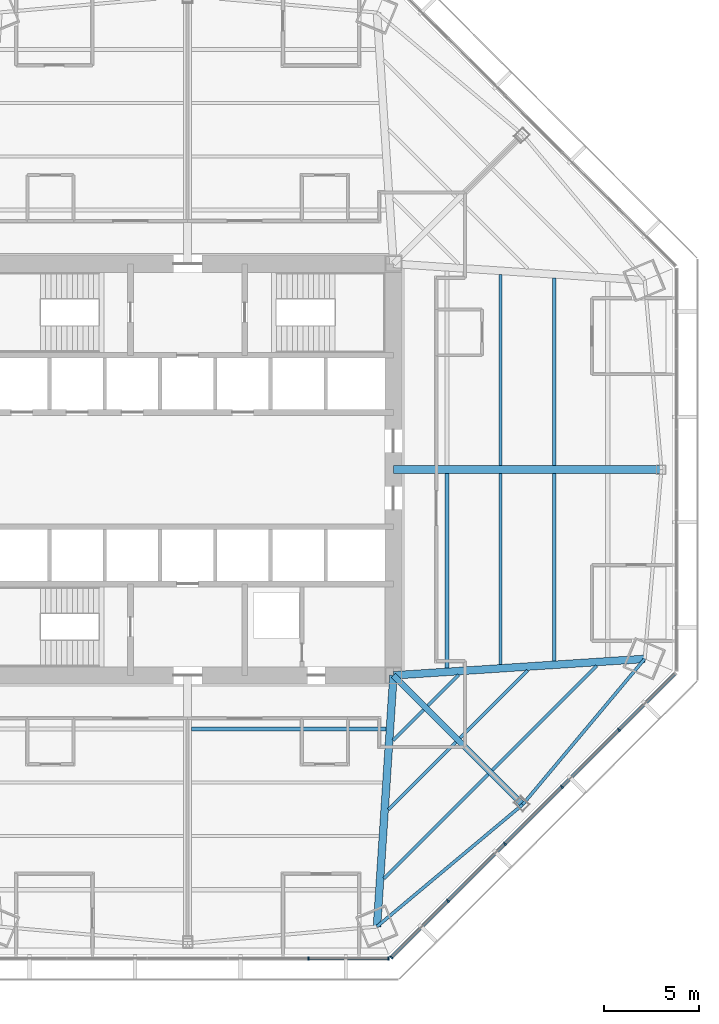
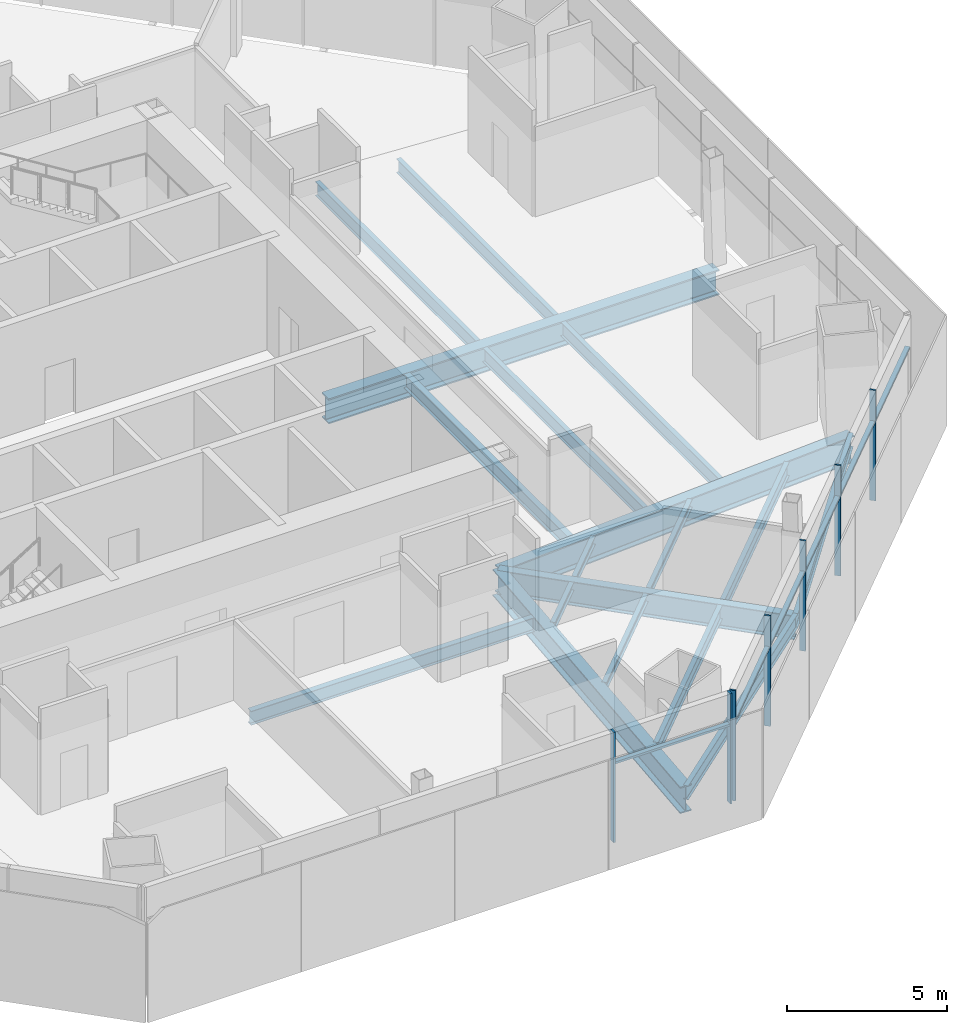
# One storey, part 4 of 18: 18 beams, 13 members, 2 elements without a shape of their own.
"""IFC4 building model written with IfcOpenShell, lengths in metres."""

from ifc_helpers import new_model, si_unit, direction, frame, origin, origin_2d, place, context, subcontext, project, spatial, rectangle, i_section, extrude, source, transform, mapped, material, material_profile, profile_set, type_object, type_shapes, element, aggregate, save


model = new_model("IFC4")

# Units and contexts
model_context = context("Model", 3, precision=1e-05, world=origin(), true_north=direction((0.0, 1.0)))
body_context = subcontext(model_context, "Body", "Model", "MODEL_VIEW")
ifc_project = project(units=[si_unit("LENGTHUNIT", "METRE"), si_unit("AREAUNIT", "SQUARE_METRE"), si_unit("VOLUMEUNIT", "CUBIC_METRE"), si_unit("PLANEANGLEUNIT", "RADIAN"), si_unit("MASSUNIT", "GRAM", prefix="KILO")], contexts=[model_context])

# Site, building, storey
site_placement = place(None, origin())
site = spatial("IfcSite", under=ifc_project, at=site_placement, CompositionType="ELEMENT")
building_placement = place(site_placement, origin())
building = spatial("IfcBuilding", under=site, at=building_placement, Name="Mashrafa Tower", CompositionType="ELEMENT")
storey_placement = place(building_placement, frame((0.0, 0.0, 83.39990234375)))
storey = spatial("IfcBuildingStorey", under=building, at=storey_placement, Name="L18", CompositionType="ELEMENT", Elevation=83.39990234375)

# Beams
ifc_material_1 = material(Name="Steel ASTM A992", Category="steel")
ifc_material_profile_1 = material_profile(ifc_material_1, i_section(OverallWidth=0.164794921875, OverallDepth=0.309814453125, WebThickness=0.005859375, FlangeThickness=0.009765625, FilletRadius=0.007568359375, at=origin_2d()), Name="W12X26")
ifc_profile_set_1 = profile_set([ifc_material_profile_1], Name="Steel ASTM A992")
beam_type_1 = type_object("IfcBeamType", Name="Beam W12X26", PredefinedType="BEAM", material=ifc_profile_set_1)
beam_1_placement = place(storey_placement, frame((12.386962890625, -12.6025390625, -0.31982421875), z_axis=(-0.707106781187, -0.707106781187, 0.0), x_axis=(0.707106781187, -0.707106781187, 0.0)))
element("IfcBeam", 1, at=beam_1_placement, inside=storey, type_object=beam_type_1, Name="Floor beam L18 040", PredefinedType="BEAM", context=body_context, shape_type="SweptSolid", body=[
    extrude(i_section(OverallWidth=0.164794921875, OverallDepth=0.309814453125, WebThickness=0.005859375, FlangeThickness=0.009765625, FilletRadius=0.007568359375, at=origin_2d()), origin(), (0.0, 0.0, 1.0), 2.277099609375),
])
beam_2_placement = place(storey_placement, frame((14.08154296875, -14.297119140625, -0.31982421875), z_axis=(-0.707082420455, -0.707131141079, 0.0), x_axis=(0.707131141079, -0.707082420455, 0.0)))
element("IfcBeam", 2, at=beam_2_placement, inside=storey, type_object=beam_type_1, Name="Floor beam L18 044", PredefinedType="BEAM", context=body_context, shape_type="SweptSolid", body=[
    extrude(i_section(OverallWidth=0.164794921875, OverallDepth=0.309814453125, WebThickness=0.005859375, FlangeThickness=0.009765625, FilletRadius=0.007568359375, at=origin_2d()), origin(), (0.0, 0.0, 1.0), 5.010986328125),
])
beam_3_placement = place(storey_placement, frame((14.212646484375, -10.77685546875, -0.31982421875), z_axis=(-0.707106781187, -0.707106781187, 0.0), x_axis=(0.707106781187, -0.707106781187, 0.0)))
element("IfcBeam", 3, at=beam_3_placement, inside=storey, type_object=beam_type_1, Name="Floor beam L18 046", PredefinedType="BEAM", context=body_context, shape_type="SweptSolid", body=[
    extrude(i_section(OverallWidth=0.164794921875, OverallDepth=0.309814453125, WebThickness=0.005859375, FlangeThickness=0.009765625, FilletRadius=0.007568359375, at=origin_2d()), origin(), (0.0, 0.0, 1.0), 2.277099609375),
])
beam_4_placement = place(storey_placement, frame((17.840576171875, -10.538330078125, -0.31982421875), z_axis=(-0.707131141079, -0.707082420455, 0.0), x_axis=(0.707082420455, -0.707131141079, 0.0)))
element("IfcBeam", 4, at=beam_4_placement, inside=storey, type_object=beam_type_1, Name="Floor beam L18 051", PredefinedType="BEAM", context=body_context, shape_type="SweptSolid", body=[
    extrude(i_section(OverallWidth=0.164794921875, OverallDepth=0.309814453125, WebThickness=0.005859375, FlangeThickness=0.009765625, FilletRadius=0.007568359375, at=origin_2d()), origin(), (0.0, 0.0, 1.0), 5.010986328125),
])
ifc_material_2 = material(Name="Steel ASTM A992", Category="steel")
ifc_material_profile_2 = material_profile(ifc_material_2, i_section(OverallWidth=0.165771484375, OverallDepth=0.5283203125, WebThickness=0.009765625, FlangeThickness=0.013671875, FilletRadius=0.012939453125, at=origin_2d()), Name="W21X50")
ifc_profile_set_2 = profile_set([ifc_material_profile_2], Name="Steel ASTM A992")
beam_type_2 = type_object("IfcBeamType", Name="Beam W21X50", PredefinedType="BEAM", material=ifc_profile_set_2)
beam_5_placement = place(storey_placement, frame((15.7763671875, -15.991943359375, -0.428955078125), z_axis=(-0.70712254248, -0.707091019542, 0.0), x_axis=(0.707091019542, -0.70712254248, 0.0)))
element("IfcBeam", 5, at=beam_5_placement, inside=storey, type_object=beam_type_2, Name="Floor beam L18 047", PredefinedType="BEAM", context=body_context, shape_type="SweptSolid", body=[
    extrude(i_section(OverallWidth=0.165771484375, OverallDepth=0.5283203125, WebThickness=0.009765625, FlangeThickness=0.013671875, FilletRadius=0.012939453125, at=origin_2d()), origin(), (0.0, 0.0, 1.0), 7.744873046875),
])
for number, where, z_axis, x_axis, name in (
    (6, (16.424072265625, -0.212158203125, -0.428955078125), (0.0, -1.0, 0.0), (1.0, 0.0, 0.0), "Floor beam L18 049"),
    (7, (16.424072265625, 10.229248046875, -0.428955078125), (0.0, -1.0, 0.0), (1.0, 0.0, 0.0), "Floor beam L18 050"),
):
    element("IfcBeam", number, at=place(storey_placement, frame(where, z_axis=z_axis, x_axis=x_axis)), inside=storey, type_object=beam_type_2, Name=name, PredefinedType="BEAM", context=body_context, shape_type="SweptSolid", body=[
        extrude(i_section(OverallWidth=0.165771484375, OverallDepth=0.5283203125, WebThickness=0.009765625, FlangeThickness=0.013671875, FilletRadius=0.012939453125, at=origin_2d()), origin(), (0.0, 0.0, 1.0), 10.01708984375),
    ])
for number, where, z_axis, x_axis, name in (
    (8, (19.236083984375, -0.212158203125, -0.428955078125), (0.0, -1.0, 0.0), (1.0, 0.0, 0.0), "Floor beam L18 052"),
    (9, (19.236083984375, 10.04443359375, -0.428955078125), (0.0, -1.0, 0.0), (1.0, 0.0, 0.0), "Floor beam L18 053"),
):
    element("IfcBeam", number, at=place(storey_placement, frame(where, z_axis=z_axis, x_axis=x_axis)), inside=storey, type_object=beam_type_2, Name=name, PredefinedType="BEAM", context=body_context, shape_type="SweptSolid", body=[
        extrude(i_section(OverallWidth=0.165771484375, OverallDepth=0.5283203125, WebThickness=0.009765625, FlangeThickness=0.013671875, FilletRadius=0.012939453125, at=origin_2d()), origin(), (0.0, 0.0, 1.0), 9.832275390625),
    ])
beam_6_placement = place(storey_placement, frame((21.46826171875, -10.2998046875, -0.428955078125), z_axis=(-0.707091019542, -0.70712254248, 0.0), x_axis=(0.70712254248, -0.707091019542, 0.0)))
element("IfcBeam", 10, at=beam_6_placement, inside=storey, type_object=beam_type_2, Name="Floor beam L18 054", PredefinedType="BEAM", context=body_context, shape_type="SweptSolid", body=[
    extrude(i_section(OverallWidth=0.165771484375, OverallDepth=0.5283203125, WebThickness=0.009765625, FlangeThickness=0.013671875, FilletRadius=0.012939453125, at=origin_2d()), origin(), (0.0, 0.0, 1.0), 7.744873046875),
])
for number, where, z_axis, x_axis, name in (
    (11, (9.93359375, -23.98193359375, -0.428955078125), (0.766639681556, 0.642077564367, 0.0), (-0.642077564367, 0.766639681556, 0.0), "Spandrel beam L18 082"),
    (12, (17.578857421875, -17.578857421875, -0.428955078125), (0.642077564367, 0.766639681556, 0.0), (-0.766639681556, 0.642077564367, 0.0), "Spandrel beam L18 084"),
):
    element("IfcBeam", number, at=place(storey_placement, frame(where, z_axis=z_axis, x_axis=x_axis)), inside=storey, type_object=beam_type_2, Name=name, PredefinedType="BEAM", context=body_context, shape_type="SweptSolid", body=[
        extrude(i_section(OverallWidth=0.165771484375, OverallDepth=0.5283203125, WebThickness=0.009765625, FlangeThickness=0.013671875, FilletRadius=0.012939453125, at=origin_2d()), origin(), (0.0, 0.0, 1.0), 9.972412109375),
    ])
ifc_material_3 = material(Name="Steel ASTM A992", Category="steel")
ifc_material_profile_3 = material_profile(ifc_material_3, i_section(OverallWidth=0.209228515625, OverallDepth=0.533447265625, WebThickness=0.01025390625, FlangeThickness=0.015625, FilletRadius=0.012939453125, at=origin_2d()), Name="W21X62")
ifc_profile_set_3 = profile_set([ifc_material_profile_3], Name="Steel ASTM A992")
beam_type_3 = type_object("IfcBeamType", Name="Beam W21X62", PredefinedType="BEAM", material=ifc_profile_set_3)
for number, where, z_axis, x_axis, name in (
    (13, (10.4140625, -13.612060546875, -0.431640625), (-1.0, 0.0, 0.0), (0.0, -1.0, 0.0), "Floor beam L18 039"),
    (14, (13.612060546875, -0.212158203125, -0.431640625), (0.0, -1.0, 0.0), (1.0, 0.0, 0.0), "Floor beam L18 042"),
):
    element("IfcBeam", number, at=place(storey_placement, frame(where, z_axis=z_axis, x_axis=x_axis)), inside=storey, type_object=beam_type_3, Name=name, PredefinedType="BEAM", context=body_context, shape_type="SweptSolid", body=[
        extrude(i_section(OverallWidth=0.209228515625, OverallDepth=0.533447265625, WebThickness=0.01025390625, FlangeThickness=0.015625, FilletRadius=0.012939453125, at=origin_2d()), origin(), (0.0, 0.0, 1.0), 10.201904296875),
    ])
ifc_material_4 = material(Name="Steel ASTM A992", Category="steel")
ifc_material_profile_4 = material_profile(ifc_material_4, i_section(OverallWidth=0.3046875, OverallDepth=0.911865234375, WebThickness=0.015869140625, FlangeThickness=0.02392578125, FilletRadius=0.01904296875, at=origin_2d()), Name="W36X150")
ifc_profile_set_4 = profile_set([ifc_material_profile_4], Name="Steel ASTM A992")
beam_type_4 = type_object("IfcBeamType", Name="Beam W36X150", PredefinedType="BEAM", material=ifc_profile_set_4)
beam_7_placement = place(storey_placement, frame((10.800048828125, -10.800048828125, -0.620849609375), z_axis=(0.707106781187, -0.707106781187, 0.0), x_axis=(0.707106781187, 0.707106781187, 0.0)))
element("IfcBeam", 15, at=beam_7_placement, inside=storey, type_object=beam_type_4, Name="Radial girder L18 067", PredefinedType="BEAM", context=body_context, shape_type="SweptSolid", body=[
    extrude(i_section(OverallWidth=0.3046875, OverallDepth=0.911865234375, WebThickness=0.015869140625, FlangeThickness=0.02392578125, FilletRadius=0.01904296875, at=origin_2d()), origin(), (0.0, 0.0, 1.0), 9.586669921875),
])
ifc_material_5 = material(Name="Steel ASTM A992", Category="steel")
ifc_material_profile_5 = material_profile(ifc_material_5, i_section(OverallWidth=0.424072265625, OverallDepth=0.960205078125, WebThickness=0.028564453125, FlangeThickness=0.051025390625, FilletRadius=0.02001953125, at=origin_2d()), Name="W36X361")
ifc_profile_set_5 = profile_set([ifc_material_profile_5], Name="Steel ASTM A992")
beam_type_5 = type_object("IfcBeamType", Name="Beam W36X361", PredefinedType="BEAM", material=ifc_profile_set_5)
beam_8_placement = place(storey_placement, frame((10.800048828125, 0.0, -0.64501953125), z_axis=(1.0, 0.0, 0.0), x_axis=(0.0, 1.0, 0.0)))
element("IfcBeam", 16, at=beam_8_placement, inside=storey, type_object=beam_type_5, Name="Radial girder L18 069", PredefinedType="BEAM", context=body_context, shape_type="SweptSolid", body=[
    extrude(i_section(OverallWidth=0.424072265625, OverallDepth=0.960205078125, WebThickness=0.028564453125, FlangeThickness=0.051025390625, FilletRadius=0.02001953125, at=origin_2d()), origin(), (0.0, 0.0, 1.0), 14.06005859375),
])
ifc_material_6 = material(Name="Steel ASTM A992", Category="steel")
ifc_material_profile_6 = material_profile(ifc_material_6, i_section(OverallWidth=0.4013671875, OverallDepth=1.010986328125, WebThickness=0.023681640625, FlangeThickness=0.0419921875, FilletRadius=0.02001953125, at=origin_2d()), Name="W40X297")
ifc_profile_set_6 = profile_set([ifc_material_profile_6], Name="Steel ASTM A992")
beam_type_6 = type_object("IfcBeamType", Name="Beam W40X297", PredefinedType="BEAM", material=ifc_profile_set_6)
for number, where, z_axis, x_axis, name in (
    (17, (10.800048828125, -10.800048828125, -0.67041015625), (-0.065589205505, -0.997846709731, 0.0), (0.997846709731, -0.065589205505, 0.0), "Radial girder L18 066"),
    (18, (10.800048828125, -10.800048828125, -0.67041015625), (0.997846709731, 0.065589205505, 0.0), (-0.065589205505, 0.997846709731, 0.0), "Radial girder L18 068"),
):
    element("IfcBeam", number, at=place(storey_placement, frame(where, z_axis=z_axis, x_axis=x_axis)), inside=storey, type_object=beam_type_6, Name=name, PredefinedType="BEAM", context=body_context, shape_type="SweptSolid", body=[
        extrude(i_section(OverallWidth=0.4013671875, OverallDepth=1.010986328125, WebThickness=0.023681640625, FlangeThickness=0.0419921875, FilletRadius=0.02001953125, at=origin_2d()), origin(), (0.0, 0.0, 1.0), 13.21044921875),
    ])

# Curtain wall, members
ifc_material_7 = material(Name="Unitised aluminium curtain wall", Category="aluminium")
curtain_wall_type = type_object("IfcCurtainWallType", Name="Office curtain wall, zone 1 CW-A 200 deep", PredefinedType="NOTDEFINED", material=ifc_material_7)
curtain_wall_1_placement = place(storey_placement, origin())
curtain_wall_1 = element("IfcCurtainWall", 19, at=curtain_wall_1_placement, inside=storey, type_object=curtain_wall_type, Name="Office curtain wall, zone 1 L18 south", PredefinedType="NOTDEFINED")
ifc_material_8 = material(Name="Extruded aluminium mullion", Category="aluminium")
ifc_material_profile_7 = material_profile(ifc_material_8, rectangle(XDim=0.199951171875, YDim=0.06494140625, at=origin_2d()), Name="Mullion 65x200")
ifc_profile_set_7 = profile_set([ifc_material_profile_7], Name="Extruded aluminium mullion")
member_type_1 = type_object("IfcMemberType", Name="Mullion CW-A 65 x 200", PredefinedType="MULLION", material=ifc_profile_set_7)
shared_shape_1 = source(origin(), body_context, "Body", "SweptSolid", [
    extrude(rectangle(XDim=0.199951171875, YDim=0.06494140625, at=origin_2d()), origin(), (0.0, 0.0, 1.0), 4.2001953125),
])
type_shapes(member_type_1, [shared_shape_1])
member_1_placement = place(storey_placement, frame((6.34521484375, -25.655517578125, 0.0), z_axis=(0.0, 0.0, 1.0), x_axis=(0.0, 1.0, 0.0)))
member_1 = element("IfcMember", 20, at=member_1_placement, type_object=member_type_1, Name="CW-A mullion 5", PredefinedType="MULLION", context=body_context, shape_type="MappedRepresentation", body=[
    mapped(shared_shape_1, transform((0.0, 0.0, 0.0))),
])
member_2_placement = place(storey_placement, frame((10.54296875, -25.655517578125, 0.0), z_axis=(0.0, 0.0, 1.0), x_axis=(0.0, 1.0, 0.0)))
member_2 = element("IfcMember", 21, at=member_2_placement, type_object=member_type_1, Name="CW-A mullion 6", PredefinedType="MULLION", context=body_context, shape_type="MappedRepresentation", body=[
    mapped(shared_shape_1, transform((0.0, 0.0, 0.0))),
])

curtain_wall_2_placement = place(storey_placement, origin())
curtain_wall_2 = element("IfcCurtainWall", 22, at=curtain_wall_2_placement, inside=storey, type_object=curtain_wall_type, Name="Office curtain wall, zone 1 L18 south-east", PredefinedType="NOTDEFINED")
member_3_placement = place(storey_placement, frame((10.686279296875, -25.59619140625, 0.0), z_axis=(0.0, 0.0, 1.0), x_axis=(-0.707106781187, 0.707106781187, 0.0)))
member_3 = element("IfcMember", 23, at=member_3_placement, type_object=member_type_1, Name="CW-A mullion 1", PredefinedType="MULLION", context=body_context, shape_type="MappedRepresentation", body=[
    mapped(shared_shape_1, transform((0.0, 0.0, 0.0))),
])
member_4_placement = place(storey_placement, frame((13.654296875, -22.6279296875, 0.0), z_axis=(0.0, 0.0, 1.0), x_axis=(-0.707106781187, 0.707106781187, 0.0)))
member_4 = element("IfcMember", 24, at=member_4_placement, type_object=member_type_1, Name="CW-A mullion 2", PredefinedType="MULLION", context=body_context, shape_type="MappedRepresentation", body=[
    mapped(shared_shape_1, transform((0.0, 0.0, 0.0))),
])
member_5_placement = place(storey_placement, frame((16.6455078125, -19.63671875, 0.0), z_axis=(0.0, 0.0, 1.0), x_axis=(-0.707106781187, 0.707106781187, 0.0)))
member_5 = element("IfcMember", 25, at=member_5_placement, type_object=member_type_1, Name="CW-A mullion 3", PredefinedType="MULLION", context=body_context, shape_type="MappedRepresentation", body=[
    mapped(shared_shape_1, transform((0.0, 0.0, 0.0))),
])
member_6_placement = place(storey_placement, frame((19.63671875, -16.6455078125, 0.0), z_axis=(0.0, 0.0, 1.0), x_axis=(-0.707106781187, 0.707106781187, 0.0)))
member_6 = element("IfcMember", 26, at=member_6_placement, type_object=member_type_1, Name="CW-A mullion 4", PredefinedType="MULLION", context=body_context, shape_type="MappedRepresentation", body=[
    mapped(shared_shape_1, transform((0.0, 0.0, 0.0))),
])
member_7_placement = place(storey_placement, frame((22.6279296875, -13.654296875, 0.0), z_axis=(0.0, 0.0, 1.0), x_axis=(-0.707106781187, 0.707106781187, 0.0)))
member_7 = element("IfcMember", 27, at=member_7_placement, type_object=member_type_1, Name="CW-A mullion 5", PredefinedType="MULLION", context=body_context, shape_type="MappedRepresentation", body=[
    mapped(shared_shape_1, transform((0.0, 0.0, 0.0))),
])

# Member
ifc_material_9 = material(Name="Extruded aluminium transom", Category="aluminium")
ifc_material_profile_8 = material_profile(ifc_material_9, rectangle(XDim=0.159912109375, YDim=0.080078125, at=origin_2d()), Name="Transom 80x160")
ifc_profile_set_8 = profile_set([ifc_material_profile_8], Name="Extruded aluminium transom")
member_type_2 = type_object("IfcMemberType", Name="Transom CW-A 80 x 160", PredefinedType="MULLION", material=ifc_profile_set_8)
shared_shape_2 = source(origin(), body_context, "Body", "SweptSolid", [
    extrude(rectangle(XDim=0.159912109375, YDim=0.080078125, at=origin_2d()), origin(), (0.0, 0.0, 1.0), 4.1328125),
])
member_8_placement = place(storey_placement, frame((6.377685546875, -25.655517578125, 3.0), z_axis=(1.0, 0.0, 0.0), x_axis=(0.0, 1.0, 0.0)))
member_8 = element("IfcMember", 28, at=member_8_placement, type_object=member_type_2, Name="CW-A transom 5", PredefinedType="MULLION", context=body_context, shape_type="MappedRepresentation", body=[
    mapped(shared_shape_2, transform((0.0, 0.0, 0.0))),
])

aggregate(curtain_wall_1, [member_1, member_2, member_8])

shared_shape_3 = source(origin(), body_context, "Body", "SweptSolid", [
    extrude(rectangle(XDim=0.159912109375, YDim=0.080078125, at=origin_2d()), origin(), (0.0, 0.0, 1.0), 4.165283203125),
])
member_9_placement = place(storey_placement, frame((13.67724609375, -22.60498046875, 3.0), z_axis=(0.707106781187, 0.707106781187, 0.0), x_axis=(-0.707106781187, 0.707106781187, 0.0)))
member_9 = element("IfcMember", 29, at=member_9_placement, type_object=member_type_2, Name="CW-A transom 2", PredefinedType="MULLION", context=body_context, shape_type="MappedRepresentation", body=[
    mapped(shared_shape_3, transform((0.0, 0.0, 0.0))),
])

member_10_placement = place(storey_placement, frame((16.66845703125, -19.61376953125, 3.0), z_axis=(0.707106781187, 0.707106781187, 0.0), x_axis=(-0.707106781187, 0.707106781187, 0.0)))
member_10 = element("IfcMember", 30, at=member_10_placement, type_object=member_type_2, Name="CW-A transom 3", PredefinedType="MULLION", context=body_context, shape_type="MappedRepresentation", body=[
    mapped(shared_shape_3, transform((0.0, 0.0, 0.0))),
])

member_11_placement = place(storey_placement, frame((19.65966796875, -16.62255859375, 3.0), z_axis=(0.707106781187, 0.707106781187, 0.0), x_axis=(-0.707106781187, 0.707106781187, 0.0)))
member_11 = element("IfcMember", 31, at=member_11_placement, type_object=member_type_2, Name="CW-A transom 4", PredefinedType="MULLION", context=body_context, shape_type="MappedRepresentation", body=[
    mapped(shared_shape_3, transform((0.0, 0.0, 0.0))),
])

shared_shape_4 = source(origin(), body_context, "Body", "SweptSolid", [
    extrude(rectangle(XDim=0.159912109375, YDim=0.080078125, at=origin_2d()), origin(), (0.0, 0.0, 1.0), 4.132568359375),
])
type_shapes(member_type_2, [shared_shape_2, shared_shape_3, shared_shape_4])
member_12_placement = place(storey_placement, frame((10.709228515625, -25.5732421875, 3.0), z_axis=(0.707077242712, 0.707136318428, 0.0), x_axis=(-0.707136318428, 0.707077242712, 0.0)))
member_12 = element("IfcMember", 32, at=member_12_placement, type_object=member_type_2, Name="CW-A transom 1", PredefinedType="MULLION", context=body_context, shape_type="MappedRepresentation", body=[
    mapped(shared_shape_4, transform((0.0, 0.0, 0.0))),
])

member_13_placement = place(storey_placement, frame((22.65087890625, -13.63134765625, 3.0), z_axis=(0.707136318428, 0.707077242712, 0.0), x_axis=(-0.707077242712, 0.707136318428, 0.0)))
member_13 = element("IfcMember", 33, at=member_13_placement, type_object=member_type_2, Name="CW-A transom 5", PredefinedType="MULLION", context=body_context, shape_type="MappedRepresentation", body=[
    mapped(shared_shape_4, transform((0.0, 0.0, 0.0))),
])

aggregate(curtain_wall_2, [member_3, member_4, member_5, member_6, member_7, member_12, member_9, member_10, member_11, member_13])

save(model, "model.ifc")
